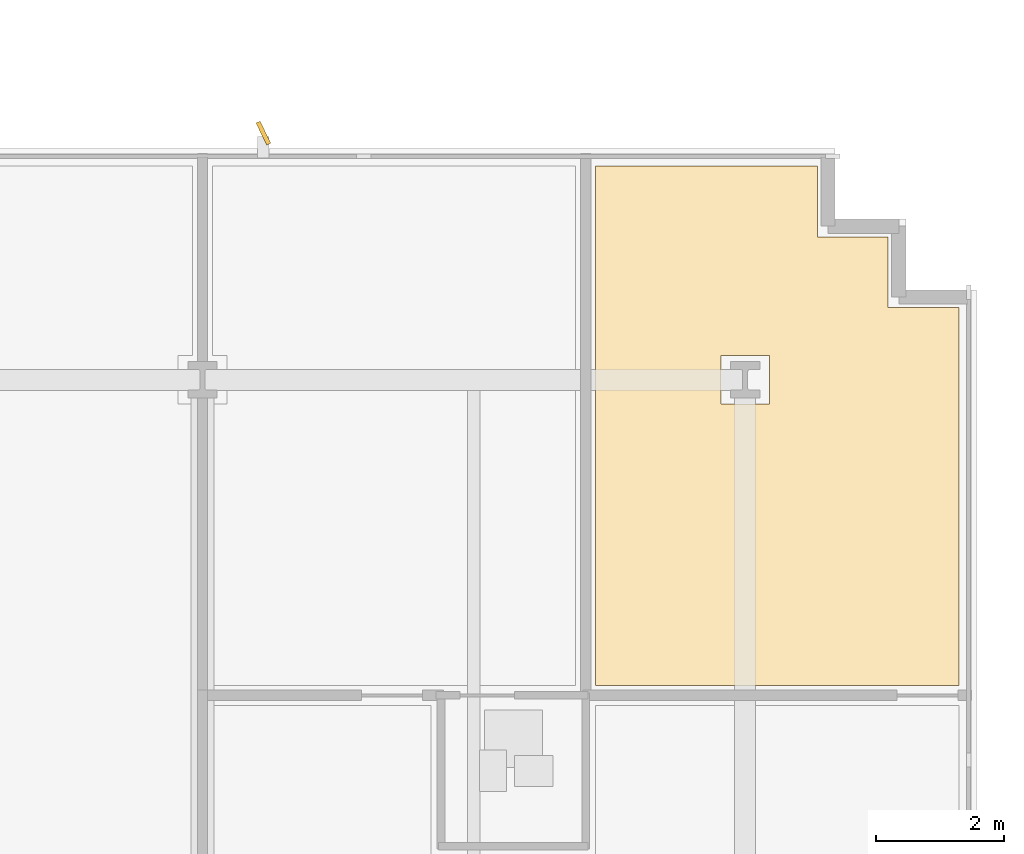
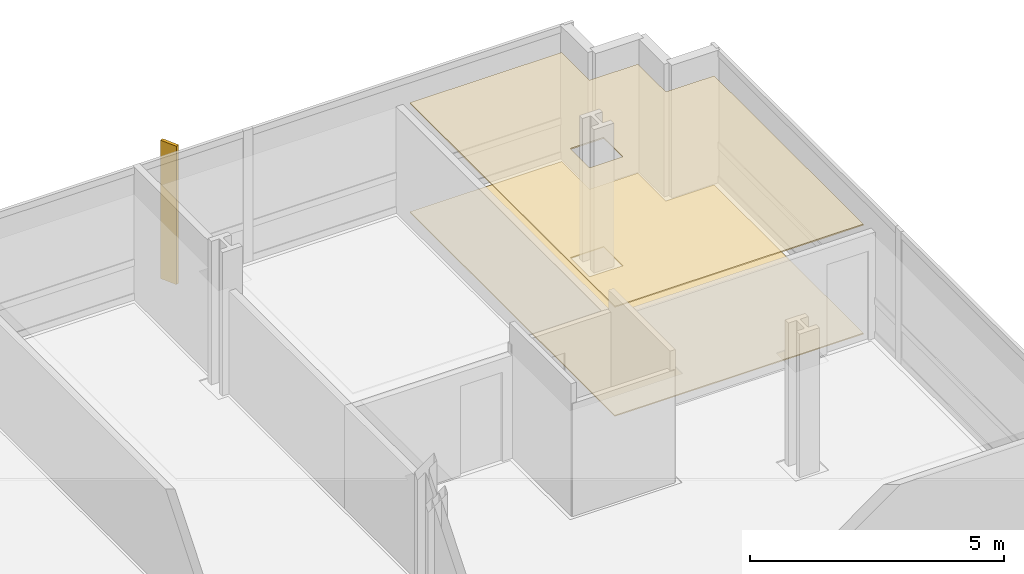
# One storey, part 17 of 18: 2 coverings, 1 shading device.
"""IFC4 building model written with IfcOpenShell, lengths in metres."""

from ifc_helpers import new_model, si_unit, direction, frame, origin, origin_2d, place, context, subcontext, project, spatial, polyline, rectangle, outline, extrude, material, layer, layer_set, type_object, element, save


model = new_model("IFC4")

# Units and contexts
model_context = context("Model", 3, precision=1e-05, world=origin(), true_north=direction((0.0, 1.0)))
body_context = subcontext(model_context, "Body", "Model", "MODEL_VIEW")
ifc_project = project(units=[si_unit("LENGTHUNIT", "METRE"), si_unit("AREAUNIT", "SQUARE_METRE"), si_unit("VOLUMEUNIT", "CUBIC_METRE"), si_unit("PLANEANGLEUNIT", "RADIAN"), si_unit("MASSUNIT", "GRAM", prefix="KILO")], contexts=[model_context])

# Site, building, storey
site_placement = place(None, origin())
site = spatial("IfcSite", under=ifc_project, at=site_placement, CompositionType="ELEMENT")
building_placement = place(site_placement, origin())
building = spatial("IfcBuilding", under=site, at=building_placement, Name="Solmavex Isthmus Hotel", CompositionType="ELEMENT")
storey_placement = place(building_placement, frame((0.0, 0.0, 43.64990234375)))
storey = spatial("IfcBuildingStorey", under=building, at=storey_placement, Name="L11", CompositionType="ELEMENT", Elevation=43.64990234375)

# Coverings
ifc_material_1 = material(Name="Gypsum plasterboard lining", Category="gypsum")
ifc_layer_1 = layer(ifc_material_1, 0.030029296875)
ifc_layer_set_1 = layer_set([ifc_layer_1], Name="Gypsum plasterboard lining")
covering_type_1 = type_object("IfcCoveringType", Name="COV-CEIL-GYP", PredefinedType="CEILING", material=ifc_layer_set_1)
covering_1_placement = place(storey_placement, frame((0.0, 0.0, 2.6201171875)))
element("IfcCovering", 1, at=covering_1_placement, inside=storey, type_object=covering_type_1, Name="Suspended Acoustic Ceiling L11-TL06", PredefinedType="CEILING", context=body_context, shape_type="SweptSolid", body=[
    extrude(outline(polyline([(27.52490234375, 19.125), (27.52490234375, 20.22509765625), (24.071044921875, 20.22509765625), (24.071044921875, 12.14306640625), (29.72509765625, 12.14306640625), (29.72509765625, 18.02490234375), (28.625, 18.02490234375), (28.625, 19.125), (27.52490234375, 19.125)]), holes=[polyline([(26.02001953125, 16.52001953125), (26.02001953125, 17.280029296875), (26.780029296875, 17.280029296875), (26.780029296875, 16.52001953125), (26.02001953125, 16.52001953125)])]), origin(), (0.0, 0.0, 1.0), 0.030029296875),
])
ifc_material_2 = material(Name="Travertine natural stone", Category="masonry")
ifc_layer_2 = layer(ifc_material_2, 0.02490234375)
ifc_layer_set_2 = layer_set([ifc_layer_2], Name="Travertine natural stone")
covering_type_2 = type_object("IfcCoveringType", Name="COV-FLOR-STN", PredefinedType="FLOORING", material=ifc_layer_set_2)
covering_2_placement = place(storey_placement, origin())
element("IfcCovering", 2, at=covering_2_placement, inside=storey, type_object=covering_type_2, Name="Stone and Timber Floor Finish L11-TL06", PredefinedType="FLOORING", context=body_context, shape_type="SweptSolid", body=[
    extrude(outline(polyline([(27.52490234375, 19.125), (27.52490234375, 20.22509765625), (24.071044921875, 20.22509765625), (24.071044921875, 12.14306640625), (29.72509765625, 12.14306640625), (29.72509765625, 18.02490234375), (28.625, 18.02490234375), (28.625, 19.125), (27.52490234375, 19.125)]), holes=[polyline([(26.02001953125, 16.52001953125), (26.02001953125, 17.280029296875), (26.780029296875, 17.280029296875), (26.780029296875, 16.52001953125), (26.02001953125, 16.52001953125)])]), origin(), (0.0, 0.0, 1.0), 0.025146484375),
])

# Shading device
ifc_material_3 = material(Name="Aluminium alloy 6063-T6", Category="aluminium")
shading_device_type = type_object("IfcShadingDeviceType", Name="SHD-FIN-CHAMP", PredefinedType="USERDEFINED", material=ifc_material_3)
shading_device_placement = place(storey_placement, frame((18.89990234375, 20.739990234375, -0.139892578125), z_axis=(0.0, 0.0, 1.0), x_axis=(-0.438371146789, 0.898794046299, 0.0)))
element("IfcShadingDevice", 3, at=shading_device_placement, inside=storey, type_object=shading_device_type, Name="Anodised Aluminium Solar Fin L11-N5", ObjectType="SOLAR_FIN", PredefinedType="USERDEFINED", context=body_context, shape_type="SweptSolid", body=[
    extrude(rectangle(XDim=0.3798828125, YDim=0.070068359375, at=origin_2d()), origin(), (0.0, 0.0, 1.0), 3.330078125),
])

save(model, "model.ifc")
